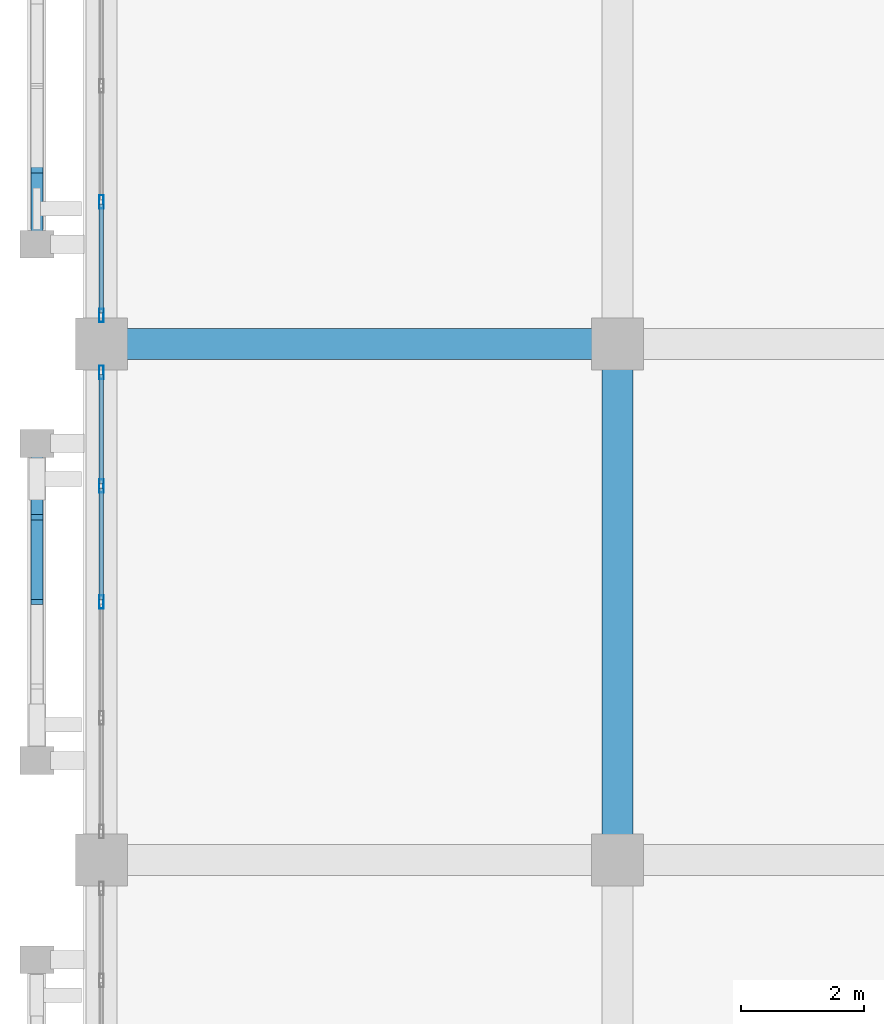
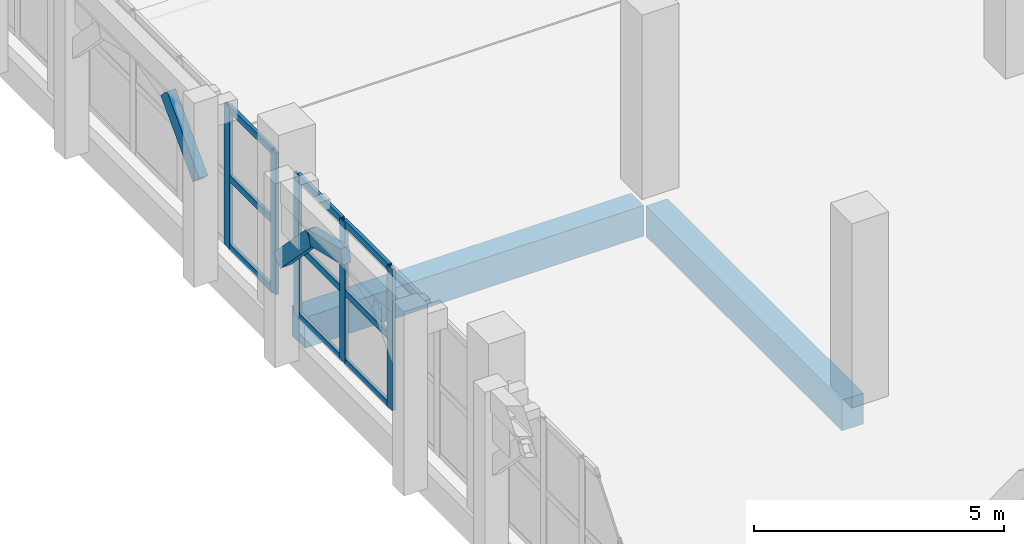
# One storey, part 46 of 137: 17 members, 2 beams, 2 elements without a shape of their own.
"""IFC4 building model written with IfcOpenShell, lengths in metres."""

import ifcopenshell
import ifcopenshell.guid

model = None  # the IFC model being written
_history = None  # IfcOwnerHistory: only IFC2X3 demands one
_inside = {}  # id of a spatial element -> (the spatial element, [elements in it])
_under = {}  # id of a project, library or spatial element -> (it, [spatial elements below it])
_declared = {}  # id of a project -> (the project, [libraries it declares])
_typed = {}  # id of a type object -> (the type object, [elements of that type])
_made_of = {}  # id of a material, layer set ... -> (it, [elements and type objects made of it])


def new_model(schema):
    """Start an empty IFC model of exactly this schema.

    Asked for "IFC4X3", IfcOpenShell would pick the latest addendum, in which some entities
    have other attributes; the version numbers below select the first issue.
    IFC2X3 requires an IfcOwnerHistory on every rooted entity: one is made here for all.
    """
    global model, _history
    if schema == "IFC4X3":
        model = ifcopenshell.file(schema_version=(4, 3, 0, 0))
    else:
        model = ifcopenshell.file(schema=schema)
    _inside.clear()
    _under.clear()
    _declared.clear()
    _typed.clear()
    _made_of.clear()
    _history = None
    if model.schema == "IFC2X3":
        org = make("IfcOrganization", Name="unknown")
        user = make(
            "IfcPersonAndOrganization",
            ThePerson=make("IfcPerson", FamilyName="unknown"),
            TheOrganization=org,
        )
        app = make(
            "IfcApplication",
            ApplicationDeveloper=org,
            Version="unknown",
            ApplicationFullName="unknown",
            ApplicationIdentifier="unknown",
        )
        _history = make(
            "IfcOwnerHistory",
            OwningUser=user,
            OwningApplication=app,
            ChangeAction="ADDED",
            CreationDate=0,
        )
    return model


def make(cls, **values):
    """One entity of the class cls with the attributes given. An attribute that is None is left unset."""
    return model.create_entity(
        cls, **{name: value for name, value in values.items() if value is not None}
    )


def rooted(cls, **values):
    """An entity with a GlobalId (a new one), such as an element, a storey or a relation."""
    return make(cls, GlobalId=ifcopenshell.guid.new(), OwnerHistory=_history, **values)


def si_unit(unit_type, name, prefix=None):
    """IfcSIUnit, for example si_unit("LENGTHUNIT", "METRE", prefix="MILLI")."""
    return make("IfcSIUnit", UnitType=unit_type, Prefix=prefix, Name=name)


def assignment(units):
    """IfcUnitAssignment: the units of a project."""
    return None if units is None else make("IfcUnitAssignment", Units=units)


def point(xyz):
    """IfcCartesianPoint."""
    return None if xyz is None else make("IfcCartesianPoint", Coordinates=xyz)


def direction(xyz):
    """IfcDirection."""
    return None if xyz is None else make("IfcDirection", DirectionRatios=xyz)


def frame(location, z_axis=None, x_axis=None):
    """IfcAxis2Placement3D, a coordinate frame: its origin and axes. An axis left out is left unset."""
    return make(
        "IfcAxis2Placement3D",
        Location=point(location),
        Axis=direction(z_axis),
        RefDirection=direction(x_axis),
    )


def frame_2d(location, x_axis=None):
    """IfcAxis2Placement2D, a coordinate frame in the plane: its origin and x axis."""
    return make(
        "IfcAxis2Placement2D", Location=point(location), RefDirection=direction(x_axis)
    )


def origin():
    """The frame at (0, 0, 0) with its axes left unset."""
    return frame((0.0, 0.0, 0.0))


def origin_2d():
    """The frame at (0, 0) in the plane with its x axis left unset."""
    return frame_2d((0.0, 0.0))


def place(relative_to, where):
    """IfcLocalPlacement: puts the frame where relative to a parent placement (None: the world)."""
    return make(
        "IfcLocalPlacement", PlacementRelTo=relative_to, RelativePlacement=where
    )


def context(
    kind, dimensions, precision=None, world=None, true_north=None, identifier=None
):
    """IfcGeometricRepresentationContext, for example the 3D "Model" context."""
    return make(
        "IfcGeometricRepresentationContext",
        ContextIdentifier=identifier,
        ContextType=kind,
        CoordinateSpaceDimension=dimensions,
        Precision=precision,
        WorldCoordinateSystem=world,
        TrueNorth=true_north,
    )


def subcontext(parent, identifier, kind, view, scale=None):
    """IfcGeometricRepresentationSubContext, for example "Body" below "Model"."""
    return make(
        "IfcGeometricRepresentationSubContext",
        ContextIdentifier=identifier,
        ContextType=kind,
        ParentContext=parent,
        TargetScale=scale,
        TargetView=view,
    )


def project(units=None, contexts=None):
    """IfcProject with its units and contexts."""
    return rooted(
        "IfcProject",
        Name="project",
        RepresentationContexts=contexts,
        UnitsInContext=assignment(units),
    )


def spatial(cls, under=None, at=None, **own):
    """A site, building, storey or space (cls), placed at a placement, below another one or the project."""
    s = rooted(cls, ObjectPlacement=at, **own)
    if under is not None:
        _under.setdefault(under.id(), (under, []))[1].append(s)
    return s


def profile(cls, at=None, kind="AREA", **sizes):
    """A parametric profile (cls). Its sizes go by their IFC names, for example OverallWidth=200.0."""
    return make(cls, ProfileType=kind, Position=at, **sizes)


def rectangle(**sizes):
    """IfcRectangleProfileDef."""
    return profile("IfcRectangleProfileDef", **sizes)


def hollow_rectangle(**sizes):
    """IfcRectangleHollowProfileDef."""
    return profile("IfcRectangleHollowProfileDef", **sizes)


def extrude(swept, where, along, depth):
    """IfcExtrudedAreaSolid: the profile swept, set in the frame where, extruded along a direction by depth."""
    return make(
        "IfcExtrudedAreaSolid",
        SweptArea=swept,
        Position=where,
        ExtrudedDirection=direction(along),
        Depth=depth,
    )


def shape(context_of_items, identifier, shape_type, items):
    """IfcShapeRepresentation: the items that make up one representation, for example the "Body"."""
    return make(
        "IfcShapeRepresentation",
        ContextOfItems=context_of_items,
        RepresentationIdentifier=identifier,
        RepresentationType=shape_type,
        Items=items,
    )


def material(Name=None, Category=None):
    """IfcMaterial."""
    return make("IfcMaterial", Name=Name, Category=Category)


def layer(
    of_material, thickness, ventilated=None, Name=None, Category=None, Priority=None
):
    """IfcMaterialLayer: one layer of a wall or slab, of a material (None: an air gap)."""
    return make(
        "IfcMaterialLayer",
        Material=of_material,
        LayerThickness=thickness,
        IsVentilated=ventilated,
        Name=Name,
        Category=Category,
        Priority=Priority,
    )


def layer_set(layers, Name=None):
    """IfcMaterialLayerSet."""
    return make("IfcMaterialLayerSet", MaterialLayers=layers, LayerSetName=Name)


def material_profile(
    of_material, cross_section, Name=None, Category=None, Priority=None
):
    """IfcMaterialProfile: a cross section and its material."""
    return make(
        "IfcMaterialProfile",
        Name=Name,
        Material=of_material,
        Profile=cross_section,
        Priority=Priority,
        Category=Category,
    )


def profile_set(profiles, Name=None, composite=None):
    """IfcMaterialProfileSet."""
    return make(
        "IfcMaterialProfileSet",
        Name=Name,
        MaterialProfiles=profiles,
        CompositeProfile=composite,
    )


def made_of(thing, what):
    """Note that an element or type object is made of a material, layer set ...; save() writes the relation."""
    if what is not None:
        _made_of.setdefault(what.id(), (what, []))[1].append(thing)
    return thing


def type_object(cls, material=None, **own):
    """A type object (cls), such as IfcWallType, which elements share."""
    return made_of(rooted(cls, **own), material)


def element(
    cls,
    number,
    at=None,
    inside=None,
    cuts=None,
    type_object=None,
    material=None,
    context=None,
    identifier="Body",
    shape_type=None,
    held_by="IfcProductDefinitionShape",
    body=None,
    shapes=None,
    **own,
):
    """One element of the class cls, such as IfcWall. Its Tag is "e" and its number.

    at: its placement. inside: the storey or other place that contains it. cuts: it is an
    opening in that element (IfcRelVoidsElement). A single representation is given by context,
    identifier, shape_type and body (its items); several are given by shapes. held_by: the class
    of the entity that holds the representations. save() writes the other relations.
    """
    e = rooted(cls, Tag="e%d" % number, ObjectPlacement=at, **own)
    if body is not None:
        shapes = [shape(context, identifier, shape_type, body)]
    if shapes is not None:
        e.Representation = make(held_by, Representations=shapes)
    if inside is not None:
        _inside.setdefault(inside.id(), (inside, []))[1].append(e)
    if cuts is not None:
        rooted(
            "IfcRelVoidsElement", RelatingBuildingElement=cuts, RelatedOpeningElement=e
        )
    if type_object is not None:
        _typed.setdefault(type_object.id(), (type_object, []))[1].append(e)
    return made_of(e, material)


def aggregate(whole, parts):
    """IfcRelAggregates: a whole, such as a stair, and the parts it consists of."""
    return rooted("IfcRelAggregates", RelatingObject=whole, RelatedObjects=parts)


def save(model, path):
    """Write the relations noted so far, then the file.

    IfcRelAggregates (storeys below a building ...), IfcRelContainedInSpatialStructure (elements
    in a storey), IfcRelDefinesByType, IfcRelAssociatesMaterial and IfcRelDeclares: one each for
    every whole, place, type object, material and project.
    """
    for whole, parts in _under.values():
        aggregate(whole, parts)
    for where, things in _inside.values():
        rooted(
            "IfcRelContainedInSpatialStructure",
            RelatedElements=things,
            RelatingStructure=where,
        )
    for kind, things in _typed.values():
        rooted("IfcRelDefinesByType", RelatedObjects=things, RelatingType=kind)
    for what, things in _made_of.values():
        rooted("IfcRelAssociatesMaterial", RelatedObjects=things, RelatingMaterial=what)
    for by, libraries in _declared.values():
        rooted("IfcRelDeclares", RelatingContext=by, RelatedDefinitions=libraries)
    model.write(path)


model = new_model("IFC4")

# Units and contexts
model_context = context("Model", 3, precision=1e-05, world=origin(), true_north=direction((0.0, 1.0)))
body_context = subcontext(model_context, "Body", "Model", "MODEL_VIEW")
ifc_project = project(units=[si_unit("LENGTHUNIT", "METRE"), si_unit("AREAUNIT", "SQUARE_METRE"), si_unit("VOLUMEUNIT", "CUBIC_METRE"), si_unit("PLANEANGLEUNIT", "RADIAN"), si_unit("MASSUNIT", "GRAM", prefix="KILO")], contexts=[model_context])

# Site, building, storey
site_placement = place(None, origin())
site = spatial("IfcSite", under=ifc_project, at=site_placement, CompositionType="ELEMENT")
building_placement = place(site_placement, origin())
building = spatial("IfcBuilding", under=site, at=building_placement, Name="Xazarin Passage Department Store", CompositionType="ELEMENT")
storey_placement = place(building_placement, frame((0.0, 0.0, 5.39990234375)))
storey = spatial("IfcBuildingStorey", under=building, at=storey_placement, Name="L01", CompositionType="ELEMENT", Elevation=5.39990234375)

# Curtain wall, members
ifc_material_1 = material(Name="Bronze anodised aluminium", Category="aluminium")
ifc_layer = layer(ifc_material_1, 0.179931640625)
ifc_layer_set = layer_set([ifc_layer], Name="Bronze anodised aluminium")
curtain_wall_type = type_object("IfcCurtainWallType", Name="ARC-CW-VIT1", PredefinedType="NOTDEFINED", material=ifc_layer_set)
curtain_wall_1_placement = place(storey_placement, origin())
curtain_wall_1 = element("IfcCurtainWall", 1, at=curtain_wall_1_placement, inside=storey, type_object=curtain_wall_type, Name="L01 V1 Curtain Wall 019", PredefinedType="NOTDEFINED")
ifc_material_profile_1 = material_profile(ifc_material_1, hollow_rectangle(XDim=0.074951171875, YDim=0.219970703125, WallThickness=0.0048828125, at=origin_2d()), Name="ALU 75x220")
ifc_profile_set_1 = profile_set([ifc_material_profile_1], Name="Bronze anodised aluminium")
member_type_1 = type_object("IfcMemberType", Name="ARC-CWM-75x220", PredefinedType="MULLION", material=ifc_profile_set_1)
member_1_placement = place(storey_placement, frame((0.0, 63.800048828125, 0.0), z_axis=(0.0, 0.0, 1.0), x_axis=(-1.0, 0.0, 0.0)))
member_1 = element("IfcMember", 2, at=member_1_placement, type_object=member_type_1, Name="CW1 mullion 3", PredefinedType="MULLION", context=body_context, shape_type="SweptSolid", body=[
    extrude(hollow_rectangle(XDim=0.074951171875, YDim=0.219970703125, WallThickness=0.0048828125, at=origin_2d()), origin(), (0.0, 0.0, 1.0), 3.4501953125),
])
member_2_placement = place(storey_placement, frame((0.0, 65.6875, 0.0), z_axis=(0.0, 0.0, 1.0), x_axis=(-1.0, 0.0, 0.0)))
member_2 = element("IfcMember", 3, at=member_2_placement, type_object=member_type_1, Name="CW1 mullion 4", PredefinedType="MULLION", context=body_context, shape_type="SweptSolid", body=[
    extrude(hollow_rectangle(XDim=0.074951171875, YDim=0.219970703125, WallThickness=0.0048828125, at=origin_2d()), origin(), (0.0, 0.0, 1.0), 3.4501953125),
])
member_3_placement = place(storey_placement, frame((0.0, 67.53759765625, 0.0), z_axis=(0.0, 0.0, 1.0), x_axis=(-1.0, 0.0, 0.0)))
member_3 = element("IfcMember", 4, at=member_3_placement, type_object=member_type_1, Name="CW1 mullion 5", PredefinedType="MULLION", context=body_context, shape_type="SweptSolid", body=[
    extrude(hollow_rectangle(XDim=0.074951171875, YDim=0.219970703125, WallThickness=0.0048828125, at=origin_2d()), origin(), (0.0, 0.0, 1.0), 3.4501953125),
])

curtain_wall_2_placement = place(storey_placement, origin())
curtain_wall_2 = element("IfcCurtainWall", 5, at=curtain_wall_2_placement, inside=storey, type_object=curtain_wall_type, Name="L01 V1 Curtain Wall 020", PredefinedType="NOTDEFINED")
member_4_placement = place(storey_placement, frame((0.0, 68.46240234375, 0.0), z_axis=(0.0, 0.0, 1.0), x_axis=(-1.0, 0.0, 0.0)))
member_4 = element("IfcMember", 6, at=member_4_placement, type_object=member_type_1, Name="CW1 mullion 1", PredefinedType="MULLION", context=body_context, shape_type="SweptSolid", body=[
    extrude(hollow_rectangle(XDim=0.074951171875, YDim=0.219970703125, WallThickness=0.0048828125, at=origin_2d()), origin(), (0.0, 0.0, 1.0), 3.4501953125),
])
member_5_placement = place(storey_placement, frame((0.0, 70.3125, 0.0), z_axis=(0.0, 0.0, 1.0), x_axis=(-1.0, 0.0, 0.0)))
member_5 = element("IfcMember", 7, at=member_5_placement, type_object=member_type_1, Name="CW1 mullion 2", PredefinedType="MULLION", context=body_context, shape_type="SweptSolid", body=[
    extrude(hollow_rectangle(XDim=0.074951171875, YDim=0.219970703125, WallThickness=0.0048828125, at=origin_2d()), origin(), (0.0, 0.0, 1.0), 3.4501953125),
])

# Member
ifc_material_profile_2 = material_profile(ifc_material_1, hollow_rectangle(XDim=0.074951171875, YDim=0.159912109375, WallThickness=0.00439453125, at=origin_2d()), Name="ALU 75x160")
ifc_profile_set_2 = profile_set([ifc_material_profile_2], Name="Bronze anodised aluminium")
member_type_2 = type_object("IfcMemberType", Name="ARC-CWT-75x160", PredefinedType="USERDEFINED", material=ifc_profile_set_2)
member_6_placement = place(storey_placement, frame((0.0, 63.83740234375, 0.03759765625), z_axis=(0.0, 1.0, 0.0), x_axis=(-1.0, 0.0, 0.0)))
member_6 = element("IfcMember", 8, at=member_6_placement, type_object=member_type_2, Name="CW1 transom 3.1", ObjectType="TRANSOM", PredefinedType="USERDEFINED", context=body_context, shape_type="SweptSolid", body=[
    extrude(hollow_rectangle(XDim=0.074951171875, YDim=0.159912109375, WallThickness=0.00439453125, at=origin_2d()), origin(), (0.0, 0.0, 1.0), 1.8125),
])

member_7_placement = place(storey_placement, frame((0.0, 63.83740234375, 1.72509765625), z_axis=(0.0, 1.0, 0.0), x_axis=(-1.0, 0.0, 0.0)))
member_7 = element("IfcMember", 9, at=member_7_placement, type_object=member_type_2, Name="CW1 transom 3.2", ObjectType="TRANSOM", PredefinedType="USERDEFINED", context=body_context, shape_type="SweptSolid", body=[
    extrude(hollow_rectangle(XDim=0.074951171875, YDim=0.159912109375, WallThickness=0.00439453125, at=origin_2d()), origin(), (0.0, 0.0, 1.0), 1.8125),
])

member_8_placement = place(storey_placement, frame((0.0, 63.83740234375, 3.41259765625), z_axis=(0.0, 1.0, 0.0), x_axis=(-1.0, 0.0, 0.0)))
member_8 = element("IfcMember", 10, at=member_8_placement, type_object=member_type_2, Name="CW1 transom 3.3", ObjectType="TRANSOM", PredefinedType="USERDEFINED", context=body_context, shape_type="SweptSolid", body=[
    extrude(hollow_rectangle(XDim=0.074951171875, YDim=0.159912109375, WallThickness=0.00439453125, at=origin_2d()), origin(), (0.0, 0.0, 1.0), 1.8125),
])

member_9_placement = place(storey_placement, frame((0.0, 65.72509765625, 0.03759765625), z_axis=(0.0, 1.0, 0.0), x_axis=(-1.0, 0.0, 0.0)))
member_9 = element("IfcMember", 11, at=member_9_placement, type_object=member_type_2, Name="CW1 transom 4.1", ObjectType="TRANSOM", PredefinedType="USERDEFINED", context=body_context, shape_type="SweptSolid", body=[
    extrude(hollow_rectangle(XDim=0.074951171875, YDim=0.159912109375, WallThickness=0.00439453125, at=origin_2d()), origin(), (0.0, 0.0, 1.0), 1.77490234375),
])

member_10_placement = place(storey_placement, frame((0.0, 65.72509765625, 1.72509765625), z_axis=(0.0, 1.0, 0.0), x_axis=(-1.0, 0.0, 0.0)))
member_10 = element("IfcMember", 12, at=member_10_placement, type_object=member_type_2, Name="CW1 transom 4.2", ObjectType="TRANSOM", PredefinedType="USERDEFINED", context=body_context, shape_type="SweptSolid", body=[
    extrude(hollow_rectangle(XDim=0.074951171875, YDim=0.159912109375, WallThickness=0.00439453125, at=origin_2d()), origin(), (0.0, 0.0, 1.0), 1.77490234375),
])

member_11_placement = place(storey_placement, frame((0.0, 65.72509765625, 3.41259765625), z_axis=(0.0, 1.0, 0.0), x_axis=(-1.0, 0.0, 0.0)))
member_11 = element("IfcMember", 13, at=member_11_placement, type_object=member_type_2, Name="CW1 transom 4.3", ObjectType="TRANSOM", PredefinedType="USERDEFINED", context=body_context, shape_type="SweptSolid", body=[
    extrude(hollow_rectangle(XDim=0.074951171875, YDim=0.159912109375, WallThickness=0.00439453125, at=origin_2d()), origin(), (0.0, 0.0, 1.0), 1.77490234375),
])

aggregate(curtain_wall_1, [member_1, member_2, member_3, member_6, member_7, member_8, member_9, member_10, member_11])

member_12_placement = place(storey_placement, frame((0.0, 68.5, 0.03759765625), z_axis=(0.0, 1.0, 0.0), x_axis=(-1.0, 0.0, 0.0)))
member_12 = element("IfcMember", 14, at=member_12_placement, type_object=member_type_2, Name="CW1 transom 1.1", ObjectType="TRANSOM", PredefinedType="USERDEFINED", context=body_context, shape_type="SweptSolid", body=[
    extrude(hollow_rectangle(XDim=0.074951171875, YDim=0.159912109375, WallThickness=0.00439453125, at=origin_2d()), origin(), (0.0, 0.0, 1.0), 1.77490234375),
])

member_13_placement = place(storey_placement, frame((0.0, 68.5, 1.72509765625), z_axis=(0.0, 1.0, 0.0), x_axis=(-1.0, 0.0, 0.0)))
member_13 = element("IfcMember", 15, at=member_13_placement, type_object=member_type_2, Name="CW1 transom 1.2", ObjectType="TRANSOM", PredefinedType="USERDEFINED", context=body_context, shape_type="SweptSolid", body=[
    extrude(hollow_rectangle(XDim=0.074951171875, YDim=0.159912109375, WallThickness=0.00439453125, at=origin_2d()), origin(), (0.0, 0.0, 1.0), 1.77490234375),
])

member_14_placement = place(storey_placement, frame((0.0, 68.5, 3.41259765625), z_axis=(0.0, 1.0, 0.0), x_axis=(-1.0, 0.0, 0.0)))
member_14 = element("IfcMember", 16, at=member_14_placement, type_object=member_type_2, Name="CW1 transom 1.3", ObjectType="TRANSOM", PredefinedType="USERDEFINED", context=body_context, shape_type="SweptSolid", body=[
    extrude(hollow_rectangle(XDim=0.074951171875, YDim=0.159912109375, WallThickness=0.00439453125, at=origin_2d()), origin(), (0.0, 0.0, 1.0), 1.77490234375),
])

aggregate(curtain_wall_2, [member_4, member_5, member_12, member_13, member_14])

# Beams
ifc_material_2 = material(Name="Concrete C35/45", Category="concrete")
ifc_material_profile_3 = material_profile(ifc_material_2, rectangle(XDim=0.5, YDim=0.75, at=origin_2d()), Name="RC 500x750")
ifc_profile_set_3 = profile_set([ifc_material_profile_3], Name="Concrete C35/45")
beam_type = type_object("IfcBeamType", Name="STR-BM-SP500x750", PredefinedType="SPANDREL", material=ifc_profile_set_3)
for number, where, z_axis, x_axis, name in (
    (17, (0.280029296875, 68.0, -0.6748046875), (1.0, 0.0, 0.0), (0.0, 1.0, 0.0), "L01 Grid Beam K/1-2"),
    (18, (8.39990234375, 59.8798828125, -0.6748046875), (0.0, 1.0, 0.0), (-1.0, 0.0, 0.0), "L01 Grid Beam 2/J-K"),
):
    element("IfcBeam", number, at=place(storey_placement, frame(where, z_axis=z_axis, x_axis=x_axis)), inside=storey, type_object=beam_type, Name=name, PredefinedType="SPANDREL", context=body_context, shape_type="SweptSolid", body=[
        extrude(rectangle(XDim=0.5, YDim=0.75, at=origin_2d()), origin(), (0.0, 0.0, 1.0), 7.840087890625),
    ])

# Members
ifc_material_3 = material(Name="Concrete C40/50", Category="concrete")
ifc_material_profile_4 = material_profile(ifc_material_3, rectangle(XDim=0.199951171875, YDim=0.360107421875, at=origin_2d()), Name="RC 200x360")
ifc_profile_set_4 = profile_set([ifc_material_profile_4], Name="Concrete C40/50")
member_type_3 = type_object("IfcMemberType", Name="STR-MEM-ARC360", PredefinedType="CHORD", material=ifc_profile_set_4)
member_15_placement = place(storey_placement, frame((-1.050048828125, 63.800048828125, 4.080078125), z_axis=(0.0, 0.972393983317, -0.233345111818), x_axis=(-1.0, 0.0, 0.0)))
element("IfcMember", 19, at=member_15_placement, inside=storey, type_object=member_type_3, Name="L01 V1 Pierced Lattice Curved Arch 009.3", PredefinedType="CHORD", context=body_context, shape_type="SweptSolid", body=[
    extrude(rectangle(XDim=0.199951171875, YDim=0.360107421875, at=origin_2d()), origin(), (0.0, 0.0, 1.0), 1.32666015625),
])
for number, where, z_axis, x_axis, name in (
    (20, (-1.050048828125, 65.090087890625, 3.7705078125), (0.0, 0.693391944082, -0.720560623322), (-1.0, 0.0, 0.0), "L01 V1 Pierced Lattice Curved Arch 009.4"),
    (21, (-1.050048828125, 69.6201171875, 2.43017578125), (0.0, 0.693391944082, 0.720560623322), (-1.0, 0.0, 0.0), "L01 V1 Pierced Lattice Curved Arch 010.1"),
):
    element("IfcMember", number, at=place(storey_placement, frame(where, z_axis=z_axis, x_axis=x_axis)), inside=storey, type_object=member_type_3, Name=name, PredefinedType="CHORD", context=body_context, shape_type="SweptSolid", body=[
        extrude(rectangle(XDim=0.199951171875, YDim=0.360107421875, at=origin_2d()), origin(), (0.0, 0.0, 1.0), 1.860107421875),
    ])

save(model, "model.ifc")
